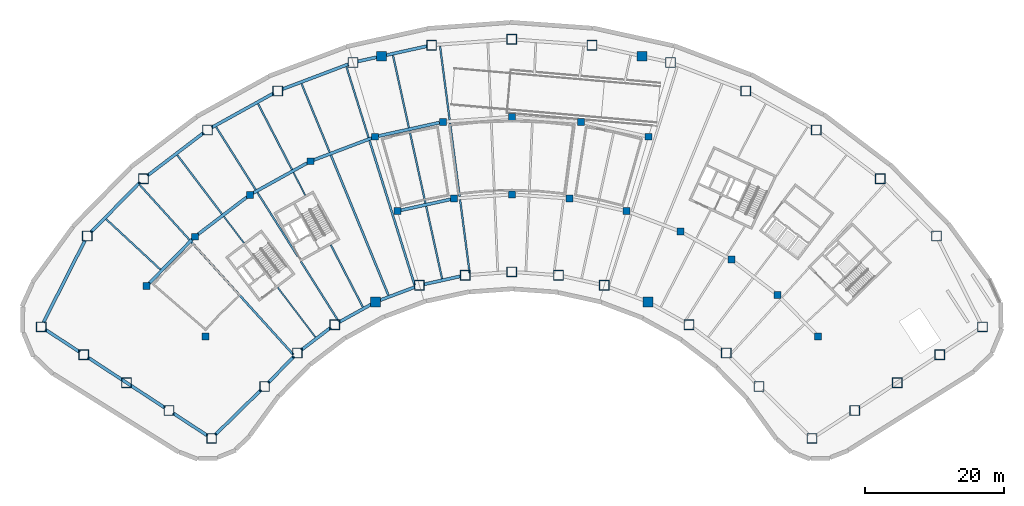
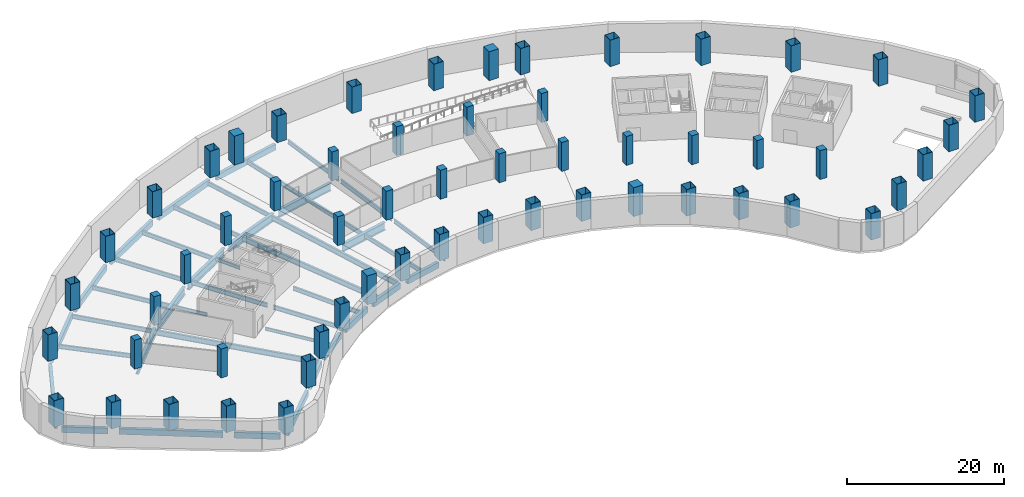
# One storey, part 1 of 11: 57 columns, 43 beams.
"""IFC4 building model written with IfcOpenShell, lengths in metres."""

from ifc_helpers import new_model, si_unit, direction, frame, origin, origin_2d, place, context, subcontext, project, spatial, rectangle, hollow_rectangle, i_section, extrude, material, material_profile, profile_set, type_object, element, save


model = new_model("IFC4")

# Units and contexts
model_context = context("Model", 3, precision=1e-05, world=origin(), true_north=direction((0.0, 1.0)))
body_context = subcontext(model_context, "Body", "Model", "MODEL_VIEW")
ifc_project = project(units=[si_unit("LENGTHUNIT", "METRE"), si_unit("AREAUNIT", "SQUARE_METRE"), si_unit("VOLUMEUNIT", "CUBIC_METRE"), si_unit("PLANEANGLEUNIT", "RADIAN"), si_unit("MASSUNIT", "GRAM", prefix="KILO")], contexts=[model_context])

# Site, building, storey
site_placement = place(None, origin())
site = spatial("IfcSite", under=ifc_project, at=site_placement, CompositionType="ELEMENT")
building_placement = place(site_placement, origin())
building = spatial("IfcBuilding", under=site, at=building_placement, Name="Tuul Gate Civic Tower", CompositionType="ELEMENT")
storey_placement = place(building_placement, frame((0.0, 0.0, -4.5)))
storey = spatial("IfcBuildingStorey", under=building, at=storey_placement, Name="Basement 1", CompositionType="ELEMENT", Elevation=-4.5)

# Columns
ifc_material_1 = material(Name="Steel S355", Category="steel")
ifc_material_profile_1 = material_profile(ifc_material_1, hollow_rectangle(XDim=1.39990234375, YDim=1.39990234375, WallThickness=0.0400390625, at=origin_2d()), Name="BOX1400x1400x40")
ifc_profile_set_1 = profile_set([ifc_material_profile_1], Name="Steel S355")
column_type_1 = type_object("IfcColumnType", Name="STR-COLUMN-BOX1400x1400x40", PredefinedType="COLUMN", material=ifc_profile_set_1)
for number, where, z_axis, x_axis, name in (
    (1, (67.56201171875, -21.366943359375, 0.0), (0.0, 0.0, 1.0), (1.0, 0.0, 0.0), "Column"),
    (2, (60.9609375, -8.327880859375, 0.0), (0.0, 0.0, 1.0), (1.0, 0.0, 0.0), "Column"),
    (3, (52.8779296875, -0.08203125, 0.0), (0.0, 0.0, 1.0), (1.0, 0.0, 0.0), "Column"),
    (4, (43.69091796875, 6.9130859375, 0.0), (0.0, 0.0, 1.0), (1.0, 0.0, 0.0), "Column"),
    (5, (33.592041015625, 12.510986328125, 0.0), (0.0, 0.0, 1.0), (1.0, 0.0, 0.0), "Column"),
    (6, (22.7919921875, 16.594970703125, 0.0), (0.0, 0.0, 1.0), (1.0, 0.0, 0.0), "Column"),
    (7, (11.51611328125, 19.080078125, 0.0), (0.0, 0.0, 1.0), (1.0, 0.0, 0.0), "Column"),
    (8, (0.0, 19.9140625, 0.0), (0.0, 0.0, 1.0), (1.0, 0.0, 0.0), "Column"),
    (9, (-11.51611328125, 19.080078125, 0.0), (0.0, 0.0, 1.0), (1.0, 0.0, 0.0), "Column"),
    (10, (-22.7919921875, 16.594970703125, 0.0), (0.0, 0.0, 1.0), (1.0, 0.0, 0.0), "Column"),
    (11, (-33.592041015625, 12.510986328125, 0.0), (0.0, 0.0, 1.0), (1.0, 0.0, 0.0), "Column"),
    (12, (-43.69091796875, 6.9130859375, 0.0), (0.0, 0.0, 1.0), (1.0, 0.0, 0.0), "Column"),
    (13, (-52.8779296875, -0.08203125, 0.0), (0.0, 0.0, 1.0), (1.0, 0.0, 0.0), "Column"),
    (14, (-60.9609375, -8.327880859375, 0.0), (0.0, 0.0, 1.0), (1.0, 0.0, 0.0), "Column"),
    (15, (-67.56201171875, -21.366943359375, 0.0), (0.0, 0.0, 1.0), (1.0, 0.0, 0.0), "Column"),
    (16, (-61.447021484375, -25.368896484375, 0.0), (0.0, 0.0, 1.0), (1.0, 0.0, 0.0), "Column"),
    (17, (-55.33203125, -29.37109375, 0.0), (0.0, 0.0, 1.0), (1.0, 0.0, 0.0), "Column"),
    (18, (-49.218017578125, -33.3720703125, 0.0), (0.0, 0.0, 1.0), (1.0, 0.0, 0.0), "Column"),
    (19, (-43.10302734375, -37.3740234375, 0.0), (0.0, 0.0, 1.0), (1.0, 0.0, 0.0), "Column"),
    (20, (-35.491943359375, -29.916015625, 0.0), (0.0, 0.0, 1.0), (1.0, 0.0, 0.0), "Column"),
    (21, (-30.785888671875, -25.114990234375, 0.0), (0.0, 0.0, 1.0), (1.0, 0.0, 0.0), "Column"),
    (22, (-25.43798828125, -21.04296875, 0.0), (0.0, 0.0, 1.0), (1.0, 0.0, 0.0), "Column"),
    (23, (-13.27001953125, -15.406005859375, 0.0), (0.0, 0.0, 1.0), (1.0, 0.0, 0.0), "Column"),
    (24, (-6.705078125, -13.958984375, 0.0), (0.0, 0.0, 1.0), (1.0, 0.0, 0.0), "Column"),
    (25, (0.0, -13.472900390625, 0.0), (0.0, 0.0, 1.0), (1.0, 0.0, 0.0), "Column"),
    (26, (6.705078125, -13.958984375, 0.0), (0.0, 0.0, 1.0), (1.0, 0.0, 0.0), "Column"),
    (27, (13.27001953125, -15.406005859375, 0.0), (0.0, 0.0, 1.0), (1.0, 0.0, 0.0), "Column"),
    (28, (25.43798828125, -21.04296875, 0.0), (0.0, 0.0, 1.0), (1.0, 0.0, 0.0), "Column"),
    (29, (30.785888671875, -25.114990234375, 0.0), (0.0, 0.0, 1.0), (1.0, 0.0, 0.0), "Column"),
    (30, (35.491943359375, -29.916015625, 0.0), (0.0, 0.0, 1.0), (1.0, 0.0, 0.0), "Column"),
    (31, (43.10302734375, -37.3740234375, 0.0), (0.0, 0.0, 1.0), (1.0, 0.0, 0.0), "Column"),
    (32, (49.218017578125, -33.3720703125, 0.0), (0.0, 0.0, 1.0), (1.0, 0.0, 0.0), "Column"),
    (33, (55.33203125, -29.37109375, 0.0), (0.0, 0.0, 1.0), (1.0, 0.0, 0.0), "Column"),
    (34, (61.447021484375, -25.368896484375, 0.0), (0.0, 0.0, 1.0), (1.0, 0.0, 0.0), "Column"),
):
    element("IfcColumn", number, at=place(storey_placement, frame(where, z_axis=z_axis, x_axis=x_axis)), inside=storey, type_object=column_type_1, Name=name, PredefinedType="COLUMN", context=body_context, shape_type="SweptSolid", body=[
        extrude(hollow_rectangle(XDim=1.39990234375, YDim=1.39990234375, WallThickness=0.0400390625, at=origin_2d()), origin(), (0.0, 0.0, 1.0), 4.10009765625),
    ])
ifc_material_2 = material(Name="Concrete C60/75", Category="concrete")
ifc_material_profile_2 = material_profile(ifc_material_2, rectangle(XDim=1.0, YDim=1.0, at=origin_2d()), Name="RC1000x1000")
ifc_profile_set_2 = profile_set([ifc_material_profile_2], Name="Concrete C60/75")
column_type_2 = type_object("IfcColumnType", Name="STR-COLUMN-RC1000x1000", PredefinedType="COLUMN", material=ifc_profile_set_2)
for number, where, z_axis, x_axis, name in (
    (35, (-52.471435546875, -15.52392578125, 0.0), (0.0, 0.0, 1.0), (1.0, 0.0, 0.0), "Interior column"),
    (36, (-45.513916015625, -8.42626953125, 0.0), (0.0, 0.0, 1.0), (1.0, 0.0, 0.0), "Interior column"),
    (37, (-37.606689453125, -2.40576171875, 0.0), (0.0, 0.0, 1.0), (1.0, 0.0, 0.0), "Interior column"),
    (38, (-28.9140625, 2.4130859375, 0.0), (0.0, 0.0, 1.0), (1.0, 0.0, 0.0), "Interior column"),
    (39, (-19.617919921875, 5.927978515625, 0.0), (0.0, 0.0, 1.0), (1.0, 0.0, 0.0), "Interior column"),
    (40, (-9.912353515625, 8.06689453125, 0.0), (0.0, 0.0, 1.0), (1.0, 0.0, 0.0), "Interior column"),
    (41, (0.0, 8.784912109375, 0.0), (0.0, 0.0, 1.0), (1.0, 0.0, 0.0), "Interior column"),
    (42, (9.912353515625, 8.06689453125, 0.0), (0.0, 0.0, 1.0), (1.0, 0.0, 0.0), "Interior column"),
    (43, (19.617919921875, 5.927978515625, 0.0), (0.0, 0.0, 1.0), (1.0, 0.0, 0.0), "Interior column"),
    (44, (-43.981689453125, -22.719970703125, 0.0), (0.0, 0.0, 1.0), (1.0, 0.0, 0.0), "Interior column"),
    (45, (-16.444091796875, -4.739013671875, 0.0), (0.0, 0.0, 1.0), (1.0, 0.0, 0.0), "Interior column"),
    (46, (-8.30859375, -2.946044921875, 0.0), (0.0, 0.0, 1.0), (1.0, 0.0, 0.0), "Interior column"),
    (47, (0.0, -2.343994140625, 0.0), (0.0, 0.0, 1.0), (1.0, 0.0, 0.0), "Interior column"),
    (48, (8.30859375, -2.946044921875, 0.0), (0.0, 0.0, 1.0), (1.0, 0.0, 0.0), "Interior column"),
    (49, (16.444091796875, -4.739013671875, 0.0), (0.0, 0.0, 1.0), (1.0, 0.0, 0.0), "Interior column"),
    (50, (24.236083984375, -7.68505859375, 0.0), (0.0, 0.0, 1.0), (1.0, 0.0, 0.0), "Interior column"),
    (51, (31.522216796875, -11.724365234375, 0.0), (0.0, 0.0, 1.0), (1.0, 0.0, 0.0), "Interior column"),
    (52, (38.14990234375, -16.770751953125, 0.0), (0.0, 0.0, 1.0), (1.0, 0.0, 0.0), "Interior column"),
    (53, (43.981689453125, -22.719970703125, 0.0), (0.0, 0.0, 1.0), (1.0, 0.0, 0.0), "Interior column"),
):
    element("IfcColumn", number, at=place(storey_placement, frame(where, z_axis=z_axis, x_axis=x_axis)), inside=storey, type_object=column_type_2, Name=name, PredefinedType="COLUMN", context=body_context, shape_type="SweptSolid", body=[
        extrude(rectangle(XDim=1.0, YDim=1.0, at=origin_2d()), origin(), (0.0, 0.0, 1.0), 4.5),
    ])
ifc_material_3 = material(Name="Concrete C60/75", Category="concrete")
ifc_material_profile_3 = material_profile(ifc_material_3, rectangle(XDim=1.39990234375, YDim=1.39990234375, at=origin_2d()), Name="RC1400x1400")
ifc_profile_set_3 = profile_set([ifc_material_profile_3], Name="Concrete C60/75")
column_type_3 = type_object("IfcColumnType", Name="STR-COLUMN-RC1400x1400", PredefinedType="COLUMN", material=ifc_profile_set_3)
for number, where, z_axis, x_axis, name in (
    (54, (-18.699951171875, 17.496826171875, 0.0), (0.0, 0.0, 1.0), (1.0, 0.0, 0.0), "Arch jamb column"),
    (55, (-19.55810546875, -17.782958984375, 0.0), (0.0, 0.0, 1.0), (1.0, 0.0, 0.0), "Arch jamb column"),
    (56, (18.699951171875, 17.496826171875, 0.0), (0.0, 0.0, 1.0), (1.0, 0.0, 0.0), "Arch jamb column"),
    (57, (19.55810546875, -17.782958984375, 0.0), (0.0, 0.0, 1.0), (1.0, 0.0, 0.0), "Arch jamb column"),
):
    element("IfcColumn", number, at=place(storey_placement, frame(where, z_axis=z_axis, x_axis=x_axis)), inside=storey, type_object=column_type_3, Name=name, PredefinedType="COLUMN", context=body_context, shape_type="SweptSolid", body=[
        extrude(rectangle(XDim=1.39990234375, YDim=1.39990234375, at=origin_2d()), origin(), (0.0, 0.0, 1.0), 4.5),
    ])

# Beams
ifc_material_4 = material(Name="Steel S355", Category="steel")
ifc_material_profile_4 = material_profile(ifc_material_4, i_section(OverallWidth=0.199951171875, OverallDepth=0.5, WebThickness=0.010009765625, FlangeThickness=0.01611328125, at=origin_2d()), Name="PG500x200x10x16")
ifc_profile_set_4 = profile_set([ifc_material_profile_4], Name="Steel S355")
beam_type_1 = type_object("IfcBeamType", Name="STR-FLOOR BEAM-PG500x200x10x16", PredefinedType="BEAM", material=ifc_profile_set_4)
beam_1_placement = place(storey_placement, frame((-29.65625, -2.4814453125, -0.64990234375), z_axis=(-0.458245936385, 0.888825439435, 0.0), x_axis=(-0.888825439435, -0.458245936385, 0.0)))
element("IfcBeam", 58, at=beam_1_placement, inside=storey, type_object=beam_type_1, Name="Floor beam", PredefinedType="BEAM", context=body_context, shape_type="SweptSolid", body=[
    extrude(i_section(OverallWidth=0.199951171875, OverallDepth=0.5, WebThickness=0.010009765625, FlangeThickness=0.01611328125, at=origin_2d()), origin(), (0.0, 0.0, 1.0), 3.697509765625),
])
beam_2_placement = place(storey_placement, frame((-28.20361328125, -22.83447265625, -0.64990234375), z_axis=(-0.604507057629, 0.796599784884, 0.0), x_axis=(-0.796599784884, -0.604507057629, 0.0)))
element("IfcBeam", 59, at=beam_2_placement, inside=storey, type_object=beam_type_1, Name="Floor beam", PredefinedType="BEAM", context=body_context, shape_type="SweptSolid", body=[
    extrude(i_section(OverallWidth=0.199951171875, OverallDepth=0.5, WebThickness=0.010009765625, FlangeThickness=0.01611328125, at=origin_2d()), origin(), (0.0, 0.0, 1.0), 8.951416015625),
])
beam_3_placement = place(storey_placement, frame((-38.45068359375, -9.3310546875, -0.64990234375), z_axis=(-0.604539816506, 0.796574924448, 0.0), x_axis=(-0.796574924448, -0.604539816506, 0.0)))
element("IfcBeam", 60, at=beam_3_placement, inside=storey, type_object=beam_type_1, Name="Floor beam", PredefinedType="BEAM", context=body_context, shape_type="SweptSolid", body=[
    extrude(i_section(OverallWidth=0.199951171875, OverallDepth=0.5, WebThickness=0.010009765625, FlangeThickness=0.01611328125, at=origin_2d()), origin(), (0.0, 0.0, 1.0), 4.77392578125),
])
ifc_material_5 = material(Name="Steel S355", Category="steel")
ifc_material_profile_5 = material_profile(ifc_material_5, i_section(OverallWidth=0.25, OverallDepth=0.64990234375, WebThickness=0.011962890625, FlangeThickness=0.02001953125, at=origin_2d()), Name="PG650x250x12x20")
ifc_profile_set_5 = profile_set([ifc_material_profile_5], Name="Steel S355")
beam_type_2 = type_object("IfcBeamType", Name="STR-FLOOR BEAM-PG650x250x12x20", PredefinedType="BEAM", material=ifc_profile_set_5)
beam_4_placement = place(storey_placement, frame((-6.05029296875, -13.660888671875, -0.72509765625), z_axis=(-0.129450984253, 0.991585822143, 0.0), x_axis=(-0.991585822143, -0.129450984253, 0.0)))
element("IfcBeam", 61, at=beam_4_placement, inside=storey, type_object=beam_type_2, Name="Floor beam", PredefinedType="BEAM", context=body_context, shape_type="SweptSolid", body=[
    extrude(i_section(OverallWidth=0.25, OverallDepth=0.64990234375, WebThickness=0.011962890625, FlangeThickness=0.02001953125, at=origin_2d()), origin(), (0.0, 0.0, 1.0), 10.642578125),
])
beam_5_placement = place(storey_placement, frame((-7.486572265625, -2.660888671875, -0.72509765625), z_axis=(-0.129466374982, 0.991583812771, 0.0), x_axis=(-0.991583812771, -0.129466374982, 0.0)))
element("IfcBeam", 62, at=beam_5_placement, inside=storey, type_object=beam_type_2, Name="Floor beam", PredefinedType="BEAM", context=body_context, shape_type="SweptSolid", body=[
    extrude(i_section(OverallWidth=0.25, OverallDepth=0.64990234375, WebThickness=0.011962890625, FlangeThickness=0.02001953125, at=origin_2d()), origin(), (0.0, 0.0, 1.0), 10.667724609375),
])
beam_6_placement = place(storey_placement, frame((-8.926025390625, 8.364013671875, -0.72509765625), z_axis=(-0.129448039688, 0.99158620655, 0.0), x_axis=(-0.99158620655, -0.129448039688, 0.0)))
element("IfcBeam", 63, at=beam_6_placement, inside=storey, type_object=beam_type_2, Name="Floor beam", PredefinedType="BEAM", context=body_context, shape_type="SweptSolid", body=[
    extrude(i_section(OverallWidth=0.25, OverallDepth=0.64990234375, WebThickness=0.011962890625, FlangeThickness=0.02001953125, at=origin_2d()), origin(), (0.0, 0.0, 1.0), 10.642822265625),
])
beam_7_placement = place(storey_placement, frame((-10.016845703125, -14.432861328125, -0.72509765625), z_axis=(-0.21468424909, 0.976683507178, 0.0), x_axis=(-0.976683507178, -0.21468424909, 0.0)))
element("IfcBeam", 64, at=beam_7_placement, inside=storey, type_object=beam_type_2, Name="Floor beam", PredefinedType="BEAM", context=body_context, shape_type="SweptSolid", body=[
    extrude(i_section(OverallWidth=0.25, OverallDepth=0.64990234375, WebThickness=0.011962890625, FlangeThickness=0.02001953125, at=origin_2d()), origin(), (0.0, 0.0, 1.0), 10.625),
])
beam_8_placement = place(storey_placement, frame((-12.39453125, -3.6162109375, -0.72509765625), z_axis=(-0.214701726188, 0.976679665383, 0.0), x_axis=(-0.976679665383, -0.214701726188, 0.0)))
element("IfcBeam", 65, at=beam_8_placement, inside=storey, type_object=beam_type_2, Name="Floor beam", PredefinedType="BEAM", context=body_context, shape_type="SweptSolid", body=[
    extrude(i_section(OverallWidth=0.25, OverallDepth=0.64990234375, WebThickness=0.011962890625, FlangeThickness=0.02001953125, at=origin_2d()), origin(), (0.0, 0.0, 1.0), 10.650146484375),
])
beam_9_placement = place(storey_placement, frame((-14.77783203125, 7.22509765625, -0.72509765625), z_axis=(-0.214679431183, 0.976684566186, 0.0), x_axis=(-0.976684566186, -0.214679431183, 0.0)))
element("IfcBeam", 66, at=beam_9_placement, inside=storey, type_object=beam_type_2, Name="Floor beam", PredefinedType="BEAM", context=body_context, shape_type="SweptSolid", body=[
    extrude(i_section(OverallWidth=0.25, OverallDepth=0.64990234375, WebThickness=0.011962890625, FlangeThickness=0.02001953125, at=origin_2d()), origin(), (0.0, 0.0, 1.0), 10.625244140625),
])
beam_10_placement = place(storey_placement, frame((-20.569091796875, 5.808837890625, -0.72509765625), z_axis=(-0.298314175954, 0.954467732522, 0.0), x_axis=(-0.954467732522, -0.298314175954, 0.0)))
element("IfcBeam", 67, at=beam_10_placement, inside=storey, type_object=beam_type_2, Name="Floor beam", PredefinedType="BEAM", context=body_context, shape_type="SweptSolid", body=[
    extrude(i_section(OverallWidth=0.25, OverallDepth=0.64990234375, WebThickness=0.011962890625, FlangeThickness=0.02001953125, at=origin_2d()), origin(), (0.0, 0.0, 1.0), 10.643310546875),
])
beam_11_placement = place(storey_placement, frame((-26.146240234375, 3.7001953125, -0.72509765625), z_axis=(-0.379723712326, 0.925099941789, 0.0), x_axis=(-0.925099941789, -0.379723712326, 0.0)))
element("IfcBeam", 68, at=beam_11_placement, inside=storey, type_object=beam_type_2, Name="Floor beam", PredefinedType="BEAM", context=body_context, shape_type="SweptSolid", body=[
    extrude(i_section(OverallWidth=0.25, OverallDepth=0.64990234375, WebThickness=0.011962890625, FlangeThickness=0.02001953125, at=origin_2d()), origin(), (0.0, 0.0, 1.0), 10.629150390625),
])
beam_12_placement = place(storey_placement, frame((-21.390380859375, -18.512939453125, -0.72509765625), z_axis=(-0.458274716769, 0.88881060073, 0.0), x_axis=(-0.88881060073, -0.458274716769, 0.0)))
element("IfcBeam", 69, at=beam_12_placement, inside=storey, type_object=beam_type_2, Name="Floor beam", PredefinedType="BEAM", context=body_context, shape_type="SweptSolid", body=[
    extrude(i_section(OverallWidth=0.25, OverallDepth=0.64990234375, WebThickness=0.011962890625, FlangeThickness=0.02001953125, at=origin_2d()), origin(), (0.0, 0.0, 1.0), 10.03369140625),
])
beam_13_placement = place(storey_placement, frame((-31.556884765625, 1.205078125, -0.72509765625), z_axis=(-0.458267871085, 0.888814130362, 0.0), x_axis=(-0.888814130362, -0.458267871085, 0.0)))
element("IfcBeam", 70, at=beam_13_placement, inside=storey, type_object=beam_type_2, Name="Floor beam", PredefinedType="BEAM", context=body_context, shape_type="SweptSolid", body=[
    extrude(i_section(OverallWidth=0.25, OverallDepth=0.64990234375, WebThickness=0.011962890625, FlangeThickness=0.02001953125, at=origin_2d()), origin(), (0.0, 0.0, 1.0), 10.6298828125),
])
beam_14_placement = place(storey_placement, frame((-24.9248046875, -20.47265625, -0.72509765625), z_axis=(-0.53338296173, 0.845873877204, 0.0), x_axis=(-0.845873877204, -0.53338296173, 0.0)))
element("IfcBeam", 71, at=beam_14_placement, inside=storey, type_object=beam_type_2, Name="Floor beam", PredefinedType="BEAM", context=body_context, shape_type="SweptSolid", body=[
    extrude(i_section(OverallWidth=0.25, OverallDepth=0.64990234375, WebThickness=0.011962890625, FlangeThickness=0.02001953125, at=origin_2d()), origin(), (0.0, 0.0, 1.0), 10.045654296875),
])
beam_15_placement = place(storey_placement, frame((-30.72509765625, -11.2744140625, -0.72509765625), z_axis=(-0.533383609524, 0.845873468724, 0.0), x_axis=(-0.845873468724, -0.533383609524, 0.0)))
element("IfcBeam", 72, at=beam_15_placement, inside=storey, type_object=beam_type_2, Name="Floor beam", PredefinedType="BEAM", context=body_context, shape_type="SweptSolid", body=[
    extrude(i_section(OverallWidth=0.25, OverallDepth=0.64990234375, WebThickness=0.011962890625, FlangeThickness=0.02001953125, at=origin_2d()), origin(), (0.0, 0.0, 1.0), 10.885498046875),
])
beam_16_placement = place(storey_placement, frame((-36.771484375, -1.685546875, -0.72509765625), z_axis=(-0.533386929433, 0.845871375275, 0.0), x_axis=(-0.845871375275, -0.533386929433, 0.0)))
element("IfcBeam", 73, at=beam_16_placement, inside=storey, type_object=beam_type_2, Name="Floor beam", PredefinedType="BEAM", context=body_context, shape_type="SweptSolid", body=[
    extrude(i_section(OverallWidth=0.25, OverallDepth=0.64990234375, WebThickness=0.011962890625, FlangeThickness=0.02001953125, at=origin_2d()), origin(), (0.0, 0.0, 1.0), 10.641845703125),
])
beam_17_placement = place(storey_placement, frame((-41.608642578125, -5.169921875, -0.72509765625), z_axis=(-0.604505162529, 0.796601222995, 0.0), x_axis=(-0.796601222995, -0.604505162529, 0.0)))
element("IfcBeam", 74, at=beam_17_placement, inside=storey, type_object=beam_type_2, Name="Floor beam", PredefinedType="BEAM", context=body_context, shape_type="SweptSolid", body=[
    extrude(i_section(OverallWidth=0.25, OverallDepth=0.64990234375, WebThickness=0.011962890625, FlangeThickness=0.02001953125, at=origin_2d()), origin(), (0.0, 0.0, 1.0), 10.625),
])
beam_18_placement = place(storey_placement, frame((-46.27490234375, -8.881103515625, -0.72509765625), z_axis=(-0.671117501912, 0.741350995567, 0.0), x_axis=(-0.741350995567, -0.671117501912, 0.0)))
element("IfcBeam", 75, at=beam_18_placement, inside=storey, type_object=beam_type_2, Name="Floor beam", PredefinedType="BEAM", context=body_context, shape_type="SweptSolid", body=[
    extrude(i_section(OverallWidth=0.25, OverallDepth=0.64990234375, WebThickness=0.011962890625, FlangeThickness=0.02001953125, at=origin_2d()), origin(), (0.0, 0.0, 1.0), 10.643798828125),
])
beam_19_placement = place(storey_placement, frame((-50.448974609375, -13.139404296875, -0.72509765625), z_axis=(-0.732685493637, 0.680567386387, 0.0), x_axis=(-0.680567386387, -0.732685493637, 0.0)))
element("IfcBeam", 76, at=beam_19_placement, inside=storey, type_object=beam_type_2, Name="Floor beam", PredefinedType="BEAM", context=body_context, shape_type="SweptSolid", body=[
    extrude(i_section(OverallWidth=0.25, OverallDepth=0.64990234375, WebThickness=0.011962890625, FlangeThickness=0.02001953125, at=origin_2d()), origin(), (0.0, 0.0, 1.0), 10.62890625),
])
ifc_material_6 = material(Name="Steel S355", Category="steel")
ifc_material_profile_6 = material_profile(ifc_material_6, i_section(OverallWidth=0.300048828125, OverallDepth=0.800048828125, WebThickness=0.013916015625, FlangeThickness=0.02490234375, at=origin_2d()), Name="PG800x300x14x25")
ifc_profile_set_6 = profile_set([ifc_material_profile_6], Name="Steel S355")
beam_type_3 = type_object("IfcBeamType", Name="STR-FLOOR BEAM-PG800x300x14x25", PredefinedType="BEAM", material=ifc_profile_set_6)
beam_20_placement = place(storey_placement, frame((-13.9423828125, -15.392822265625, -0.800048828125), z_axis=(-0.298320984436, 0.954465604537, 0.0), x_axis=(-0.954465604537, -0.298320984436, 0.0)))
element("IfcBeam", 77, at=beam_20_placement, inside=storey, type_object=beam_type_3, Name="Floor beam", PredefinedType="BEAM", context=body_context, shape_type="SweptSolid", body=[
    extrude(i_section(OverallWidth=0.300048828125, OverallDepth=0.800048828125, WebThickness=0.013916015625, FlangeThickness=0.02490234375, at=origin_2d()), origin(), (0.0, 0.0, 1.0), 21.762451171875),
])
beam_21_placement = place(storey_placement, frame((-17.722900390625, -16.822021484375, -0.800048828125), z_axis=(-0.379711671586, 0.925104884033, 0.0), x_axis=(-0.925104884033, -0.379711671586, 0.0)))
element("IfcBeam", 78, at=beam_21_placement, inside=storey, type_object=beam_type_3, Name="Floor beam", PredefinedType="BEAM", context=body_context, shape_type="SweptSolid", body=[
    extrude(i_section(OverallWidth=0.300048828125, OverallDepth=0.800048828125, WebThickness=0.013916015625, FlangeThickness=0.02490234375, at=origin_2d()), origin(), (0.0, 0.0, 1.0), 21.7333984375),
])
beam_22_placement = place(storey_placement, frame((-31.366455078125, -25.35009765625, -0.800048828125), z_axis=(-0.671111274621, 0.741356632854, 0.0), x_axis=(-0.741356632854, -0.671111274621, 0.0)))
element("IfcBeam", 79, at=beam_22_placement, inside=storey, type_object=beam_type_3, Name="Floor beam", PredefinedType="BEAM", context=body_context, shape_type="SweptSolid", body=[
    extrude(i_section(OverallWidth=0.300048828125, OverallDepth=0.800048828125, WebThickness=0.013916015625, FlangeThickness=0.02490234375, at=origin_2d()), origin(), (0.0, 0.0, 1.0), 21.763916015625),
])
ifc_material_7 = material(Name="Steel S355", Category="steel")
ifc_material_profile_7 = material_profile(ifc_material_7, i_section(OverallWidth=0.449951171875, OverallDepth=1.199951171875, WebThickness=0.02001953125, FlangeThickness=0.0400390625, at=origin_2d()), Name="PG1200x450x20x40")
ifc_profile_set_7 = profile_set([ifc_material_profile_7], Name="Steel S355")
beam_type_4 = type_object("IfcBeamType", Name="STR-RING BEAM-PG1200x450x20x40", PredefinedType="BEAM", material=ifc_profile_set_7)
beam_23_placement = place(storey_placement, frame((-52.121337890625, -15.1669921875, -1.0), z_axis=(0.700011333418, 0.714131733706, 0.0), x_axis=(-0.714131733706, 0.700011333418, 0.0)))
element("IfcBeam", 80, at=beam_23_placement, inside=storey, type_object=beam_type_4, Name="Ring girder", PredefinedType="BEAM", context=body_context, shape_type="SweptSolid", body=[
    extrude(i_section(OverallWidth=0.449951171875, OverallDepth=1.199951171875, WebThickness=0.02001953125, FlangeThickness=0.0400390625, at=origin_2d()), origin(), (0.0, 0.0, 1.0), 8.93896484375),
])
beam_24_placement = place(storey_placement, frame((-45.1162109375, -8.12353515625, -1.0), z_axis=(0.795619775117, 0.605796313494, 0.0), x_axis=(-0.605796313494, 0.795619775117, 0.0)))
element("IfcBeam", 81, at=beam_24_placement, inside=storey, type_object=beam_type_4, Name="Ring girder", PredefinedType="BEAM", context=body_context, shape_type="SweptSolid", body=[
    extrude(i_section(OverallWidth=0.449951171875, OverallDepth=1.199951171875, WebThickness=0.02001953125, FlangeThickness=0.0400390625, at=origin_2d()), origin(), (0.0, 0.0, 1.0), 8.938720703125),
])
beam_25_placement = place(storey_placement, frame((-37.16943359375, -2.163330078125, -1.0), z_axis=(0.874603942318, 0.484838059646, 0.0), x_axis=(-0.484838059646, 0.874603942318, 0.0)))
element("IfcBeam", 82, at=beam_25_placement, inside=storey, type_object=beam_type_4, Name="Ring girder", PredefinedType="BEAM", context=body_context, shape_type="SweptSolid", body=[
    extrude(i_section(OverallWidth=0.449951171875, OverallDepth=1.199951171875, WebThickness=0.02001953125, FlangeThickness=0.0400390625, at=origin_2d()), origin(), (0.0, 0.0, 1.0), 8.93896484375),
])
beam_26_placement = place(storey_placement, frame((-28.4462890625, 2.58984375, -1.0), z_axis=(0.935363691273, 0.353687383218, 0.0), x_axis=(-0.353687383218, 0.935363691273, 0.0)))
element("IfcBeam", 83, at=beam_26_placement, inside=storey, type_object=beam_type_4, Name="Ring girder", PredefinedType="BEAM", context=body_context, shape_type="SweptSolid", body=[
    extrude(i_section(OverallWidth=0.449951171875, OverallDepth=1.199951171875, WebThickness=0.02001953125, FlangeThickness=0.0400390625, at=origin_2d()), origin(), (0.0, 0.0, 1.0), 8.938232421875),
])
beam_27_placement = place(storey_placement, frame((-19.129638671875, 6.03564453125, -1.0), z_axis=(0.976563468048, 0.215229628244, 0.0), x_axis=(-0.215229628244, 0.976563468048, 0.0)))
element("IfcBeam", 84, at=beam_27_placement, inside=storey, type_object=beam_type_4, Name="Ring girder", PredefinedType="BEAM", context=body_context, shape_type="SweptSolid", body=[
    extrude(i_section(OverallWidth=0.449951171875, OverallDepth=1.199951171875, WebThickness=0.02001953125, FlangeThickness=0.0400390625, at=origin_2d()), origin(), (0.0, 0.0, 1.0), 8.9384765625),
])
beam_28_placement = place(storey_placement, frame((-15.955810546875, -4.63134765625, -1.0), z_axis=(0.97656794967, 0.215209292731, 0.0), x_axis=(-0.215209292731, 0.97656794967, 0.0)))
element("IfcBeam", 85, at=beam_28_placement, inside=storey, type_object=beam_type_4, Name="Ring girder", PredefinedType="BEAM", context=body_context, shape_type="SweptSolid", body=[
    extrude(i_section(OverallWidth=0.449951171875, OverallDepth=1.199951171875, WebThickness=0.02001953125, FlangeThickness=0.0400390625, at=origin_2d()), origin(), (0.0, 0.0, 1.0), 7.330810546875),
])
ifc_material_8 = material(Name="Steel S355", Category="steel")
ifc_material_profile_8 = material_profile(ifc_material_8, hollow_rectangle(XDim=0.449951171875, YDim=0.89990234375, WallThickness=0.02490234375, at=origin_2d()), Name="BOX900x450x25")
ifc_profile_set_8 = profile_set([ifc_material_profile_8], Name="Steel S355")
beam_type_5 = type_object("IfcBeamType", Name="STR-SPANDREL BEAM-BOX900x450x25", PredefinedType="BEAM", material=ifc_profile_set_8)
for number, where, z_axis, x_axis, name in (
    (86, (-12.19970703125, 18.929443359375, -0.85009765625), (-0.976563206365, -0.215230815575, 0.0), (0.215230815575, -0.976563206365, 0.0), "Spandrel beam"),
    (87, (-23.44677734375, 16.347412109375, -0.85009765625), (-0.935355549891, -0.353708913215, 0.0), (0.353708913215, -0.935355549891, 0.0), "Spandrel beam"),
):
    element("IfcBeam", number, at=place(storey_placement, frame(where, z_axis=z_axis, x_axis=x_axis)), inside=storey, type_object=beam_type_5, Name=name, PredefinedType="BEAM", context=body_context, shape_type="SweptSolid", body=[
        extrude(hollow_rectangle(XDim=0.449951171875, YDim=0.89990234375, WallThickness=0.02490234375, at=origin_2d()), origin(), (0.0, 0.0, 1.0), 10.146484375),
    ])
for number, where, z_axis, x_axis, name in (
    (88, (-34.204345703125, 12.171630859375, -0.85009765625), (-0.874621074476, -0.484807153497, 0.0), (0.484807153497, -0.874621074476, 0.0), "Spandrel beam"),
    (89, (-44.248046875, 6.489013671875, -0.85009765625), (-0.795616160285, -0.605801060987, 0.0), (0.605801060987, -0.795616160285, 0.0), "Spandrel beam"),
):
    element("IfcBeam", number, at=place(storey_placement, frame(where, z_axis=z_axis, x_axis=x_axis)), inside=storey, type_object=beam_type_5, Name=name, PredefinedType="BEAM", context=body_context, shape_type="SweptSolid", body=[
        extrude(hollow_rectangle(XDim=0.449951171875, YDim=0.89990234375, WallThickness=0.02490234375, at=origin_2d()), origin(), (0.0, 0.0, 1.0), 10.146728515625),
    ])
beam_29_placement = place(storey_placement, frame((-53.367919921875, -0.581787109375, -0.85009765625), z_axis=(-0.700009826077, -0.714133211239, 0.0), x_axis=(0.714133211239, -0.700009826077, 0.0)))
element("IfcBeam", 90, at=beam_29_placement, inside=storey, type_object=beam_type_5, Name="Spandrel beam", PredefinedType="BEAM", context=body_context, shape_type="SweptSolid", body=[
    extrude(hollow_rectangle(XDim=0.449951171875, YDim=0.89990234375, WallThickness=0.02490234375, at=origin_2d()), origin(), (0.0, 0.0, 1.0), 10.14697265625),
])
beam_30_placement = place(storey_placement, frame((-61.277099609375, -8.95263671875, -0.85009765625), z_axis=(-0.451678979782, -0.892180530623, 0.0), x_axis=(0.892180530623, -0.451678979782, 0.0)))
element("IfcBeam", 91, at=beam_30_placement, inside=storey, type_object=beam_type_5, Name="Spandrel beam", PredefinedType="BEAM", context=body_context, shape_type="SweptSolid", body=[
    extrude(hollow_rectangle(XDim=0.449951171875, YDim=0.89990234375, WallThickness=0.02490234375, at=origin_2d()), origin(), (0.0, 0.0, 1.0), 13.214599609375),
])
beam_31_placement = place(storey_placement, frame((-66.976318359375, -21.750244140625, -0.85009765625), z_axis=(0.836737319566, -0.547604472265, 0.0), x_axis=(0.547604472265, 0.836737319566, 0.0)))
element("IfcBeam", 92, at=beam_31_placement, inside=storey, type_object=beam_type_5, Name="Spandrel beam", PredefinedType="BEAM", context=body_context, shape_type="SweptSolid", body=[
    extrude(hollow_rectangle(XDim=0.449951171875, YDim=0.89990234375, WallThickness=0.02490234375, at=origin_2d()), origin(), (0.0, 0.0, 1.0), 5.908203125),
])
beam_32_placement = place(storey_placement, frame((-60.861328125, -25.752197265625, -0.85009765625), z_axis=(0.836741071493, -0.547598739294, 0.0), x_axis=(0.547598739294, 0.836741071493, 0.0)))
element("IfcBeam", 93, at=beam_32_placement, inside=storey, type_object=beam_type_5, Name="Spandrel beam", PredefinedType="BEAM", context=body_context, shape_type="SweptSolid", body=[
    extrude(hollow_rectangle(XDim=0.449951171875, YDim=0.89990234375, WallThickness=0.02490234375, at=origin_2d()), origin(), (0.0, 0.0, 1.0), 13.215087890625),
])
beam_33_placement = place(storey_placement, frame((-48.63232421875, -33.75537109375, -0.85009765625), z_axis=(0.836737319566, -0.547604472265, 0.0), x_axis=(0.547604472265, 0.836737319566, 0.0)))
element("IfcBeam", 94, at=beam_33_placement, inside=storey, type_object=beam_type_5, Name="Spandrel beam", PredefinedType="BEAM", context=body_context, shape_type="SweptSolid", body=[
    extrude(hollow_rectangle(XDim=0.449951171875, YDim=0.89990234375, WallThickness=0.02490234375, at=origin_2d()), origin(), (0.0, 0.0, 1.0), 5.908203125),
])
beam_34_placement = place(storey_placement, frame((-42.60302734375, -36.884033203125, -0.85009765625), z_axis=(0.714257932821, 0.699882565437, 0.0), x_axis=(-0.699882565437, 0.714257932821, 0.0)))
element("IfcBeam", 95, at=beam_34_placement, inside=storey, type_object=beam_type_5, Name="Spandrel beam", PredefinedType="BEAM", context=body_context, shape_type="SweptSolid", body=[
    extrude(hollow_rectangle(XDim=0.449951171875, YDim=0.89990234375, WallThickness=0.02490234375, at=origin_2d()), origin(), (0.0, 0.0, 1.0), 9.255859375),
])
beam_35_placement = place(storey_placement, frame((-35.001953125, -29.416015625, -0.85009765625), z_axis=(0.700007662648, 0.714135331876, 0.0), x_axis=(-0.714135331876, 0.700007662648, 0.0)))
element("IfcBeam", 96, at=beam_35_placement, inside=storey, type_object=beam_type_5, Name="Spandrel beam", PredefinedType="BEAM", context=body_context, shape_type="SweptSolid", body=[
    extrude(hollow_rectangle(XDim=0.449951171875, YDim=0.89990234375, WallThickness=0.02490234375, at=origin_2d()), origin(), (0.0, 0.0, 1.0), 5.322509765625),
])
beam_36_placement = place(storey_placement, frame((-30.22900390625, -24.69091796875, -0.85009765625), z_axis=(0.795624397763, 0.605790242315, 0.0), x_axis=(-0.605790242315, 0.795624397763, 0.0)))
element("IfcBeam", 97, at=beam_36_placement, inside=storey, type_object=beam_type_5, Name="Spandrel beam", PredefinedType="BEAM", context=body_context, shape_type="SweptSolid", body=[
    extrude(hollow_rectangle(XDim=0.449951171875, YDim=0.89990234375, WallThickness=0.02490234375, at=origin_2d()), origin(), (0.0, 0.0, 1.0), 5.32177734375),
])
beam_37_placement = place(storey_placement, frame((-24.82568359375, -20.70361328125, -0.85009765625), z_axis=(0.87456368019, 0.484910681769, 0.0), x_axis=(-0.484910681769, 0.87456368019, 0.0)))
element("IfcBeam", 98, at=beam_37_placement, inside=storey, type_object=beam_type_5, Name="Spandrel beam", PredefinedType="BEAM", context=body_context, shape_type="SweptSolid", body=[
    extrude(hollow_rectangle(XDim=0.449951171875, YDim=0.89990234375, WallThickness=0.02490234375, at=origin_2d()), origin(), (0.0, 0.0, 1.0), 5.3232421875),
])
beam_38_placement = place(storey_placement, frame((-18.9033203125, -17.535400390625, -0.85009765625), z_axis=(0.935406025935, 0.353575404468, 0.0), x_axis=(-0.353575404468, 0.935406025935, 0.0)))
element("IfcBeam", 99, at=beam_38_placement, inside=storey, type_object=beam_type_5, Name="Spandrel beam", PredefinedType="BEAM", context=body_context, shape_type="SweptSolid", body=[
    extrude(hollow_rectangle(XDim=0.449951171875, YDim=0.89990234375, WallThickness=0.02490234375, at=origin_2d()), origin(), (0.0, 0.0, 1.0), 5.322265625),
])
beam_39_placement = place(storey_placement, frame((-12.58642578125, -15.25537109375, -0.85009765625), z_axis=(0.976555830426, 0.215264279577, 0.0), x_axis=(-0.215264279577, 0.976555830426, 0.0)))
element("IfcBeam", 100, at=beam_39_placement, inside=storey, type_object=beam_type_5, Name="Spandrel beam", PredefinedType="BEAM", context=body_context, shape_type="SweptSolid", body=[
    extrude(hollow_rectangle(XDim=0.449951171875, YDim=0.89990234375, WallThickness=0.02490234375, at=origin_2d()), origin(), (0.0, 0.0, 1.0), 5.322509765625),
])

save(model, "model.ifc")
